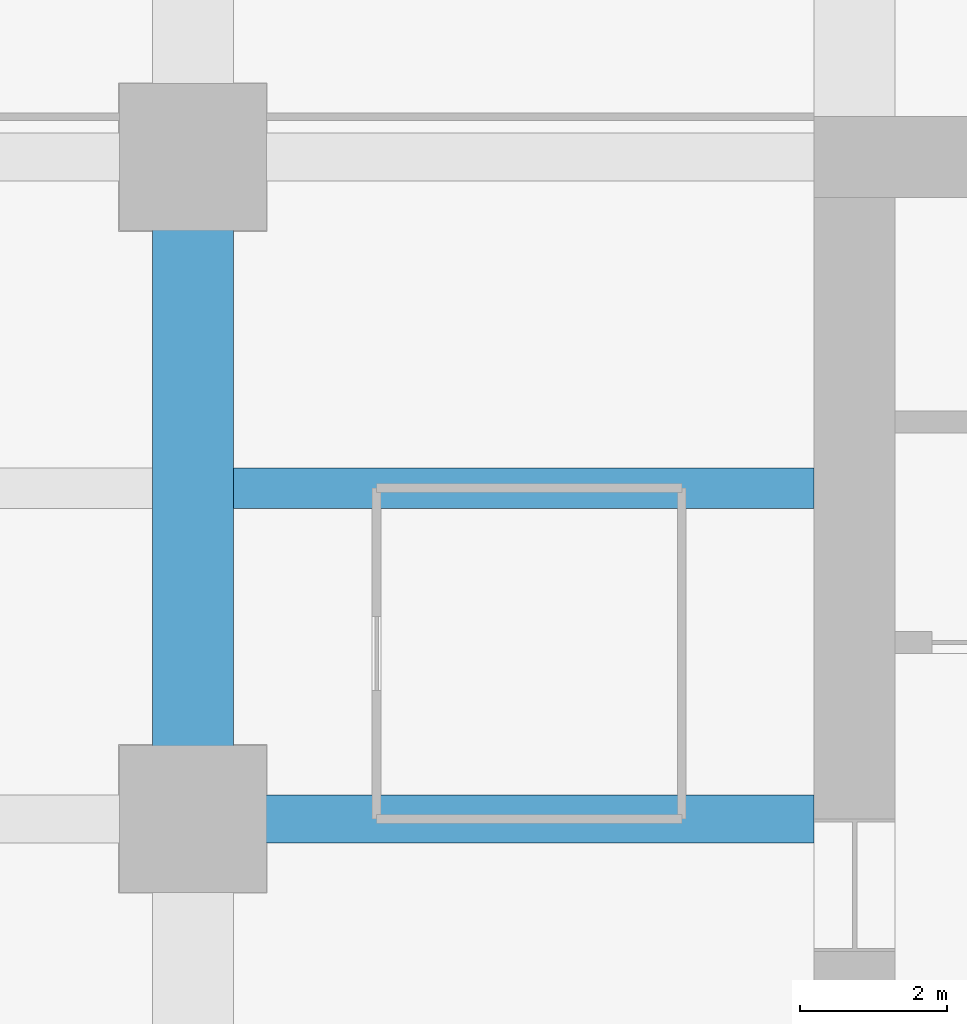
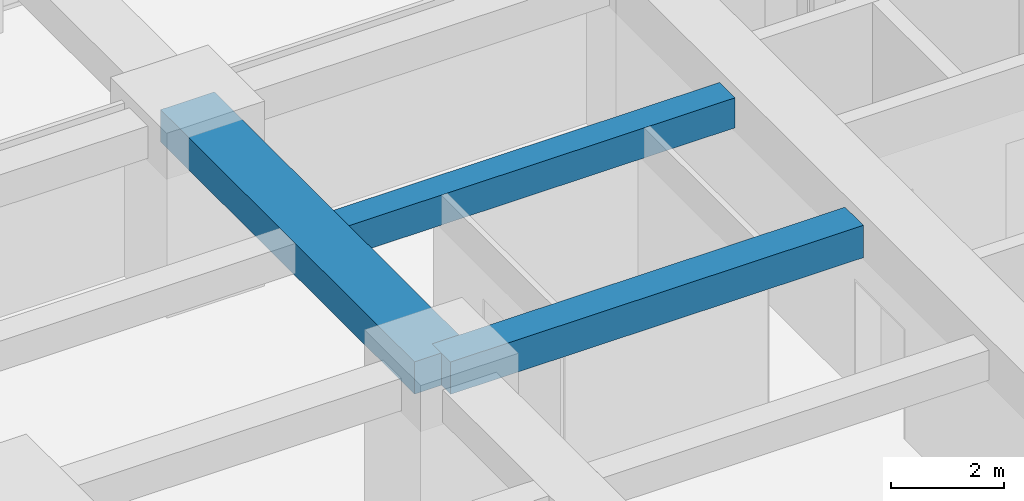
# One storey, part 12 of 39: 3 beams.
"""IFC4 building model written with IfcOpenShell, lengths in metres."""

import ifcopenshell
import ifcopenshell.guid

model = None  # the IFC model being written
_history = None  # IfcOwnerHistory: only IFC2X3 demands one
_inside = {}  # id of a spatial element -> (the spatial element, [elements in it])
_under = {}  # id of a project, library or spatial element -> (it, [spatial elements below it])
_declared = {}  # id of a project -> (the project, [libraries it declares])
_typed = {}  # id of a type object -> (the type object, [elements of that type])
_made_of = {}  # id of a material, layer set ... -> (it, [elements and type objects made of it])


def new_model(schema):
    """Start an empty IFC model of exactly this schema.

    Asked for "IFC4X3", IfcOpenShell would pick the latest addendum, in which some entities
    have other attributes; the version numbers below select the first issue.
    IFC2X3 requires an IfcOwnerHistory on every rooted entity: one is made here for all.
    """
    global model, _history
    if schema == "IFC4X3":
        model = ifcopenshell.file(schema_version=(4, 3, 0, 0))
    else:
        model = ifcopenshell.file(schema=schema)
    _inside.clear()
    _under.clear()
    _declared.clear()
    _typed.clear()
    _made_of.clear()
    _history = None
    if model.schema == "IFC2X3":
        org = make("IfcOrganization", Name="unknown")
        user = make(
            "IfcPersonAndOrganization",
            ThePerson=make("IfcPerson", FamilyName="unknown"),
            TheOrganization=org,
        )
        app = make(
            "IfcApplication",
            ApplicationDeveloper=org,
            Version="unknown",
            ApplicationFullName="unknown",
            ApplicationIdentifier="unknown",
        )
        _history = make(
            "IfcOwnerHistory",
            OwningUser=user,
            OwningApplication=app,
            ChangeAction="ADDED",
            CreationDate=0,
        )
    return model


def make(cls, **values):
    """One entity of the class cls with the attributes given. An attribute that is None is left unset."""
    return model.create_entity(
        cls, **{name: value for name, value in values.items() if value is not None}
    )


def rooted(cls, **values):
    """An entity with a GlobalId (a new one), such as an element, a storey or a relation."""
    return make(cls, GlobalId=ifcopenshell.guid.new(), OwnerHistory=_history, **values)


def si_unit(unit_type, name, prefix=None):
    """IfcSIUnit, for example si_unit("LENGTHUNIT", "METRE", prefix="MILLI")."""
    return make("IfcSIUnit", UnitType=unit_type, Prefix=prefix, Name=name)


def assignment(units):
    """IfcUnitAssignment: the units of a project."""
    return None if units is None else make("IfcUnitAssignment", Units=units)


def point(xyz):
    """IfcCartesianPoint."""
    return None if xyz is None else make("IfcCartesianPoint", Coordinates=xyz)


def direction(xyz):
    """IfcDirection."""
    return None if xyz is None else make("IfcDirection", DirectionRatios=xyz)


def frame(location, z_axis=None, x_axis=None):
    """IfcAxis2Placement3D, a coordinate frame: its origin and axes. An axis left out is left unset."""
    return make(
        "IfcAxis2Placement3D",
        Location=point(location),
        Axis=direction(z_axis),
        RefDirection=direction(x_axis),
    )


def frame_2d(location, x_axis=None):
    """IfcAxis2Placement2D, a coordinate frame in the plane: its origin and x axis."""
    return make(
        "IfcAxis2Placement2D", Location=point(location), RefDirection=direction(x_axis)
    )


def origin():
    """The frame at (0, 0, 0) with its axes left unset."""
    return frame((0.0, 0.0, 0.0))


def origin_2d():
    """The frame at (0, 0) in the plane with its x axis left unset."""
    return frame_2d((0.0, 0.0))


def place(relative_to, where):
    """IfcLocalPlacement: puts the frame where relative to a parent placement (None: the world)."""
    return make(
        "IfcLocalPlacement", PlacementRelTo=relative_to, RelativePlacement=where
    )


def context(
    kind, dimensions, precision=None, world=None, true_north=None, identifier=None
):
    """IfcGeometricRepresentationContext, for example the 3D "Model" context."""
    return make(
        "IfcGeometricRepresentationContext",
        ContextIdentifier=identifier,
        ContextType=kind,
        CoordinateSpaceDimension=dimensions,
        Precision=precision,
        WorldCoordinateSystem=world,
        TrueNorth=true_north,
    )


def subcontext(parent, identifier, kind, view, scale=None):
    """IfcGeometricRepresentationSubContext, for example "Body" below "Model"."""
    return make(
        "IfcGeometricRepresentationSubContext",
        ContextIdentifier=identifier,
        ContextType=kind,
        ParentContext=parent,
        TargetScale=scale,
        TargetView=view,
    )


def project(units=None, contexts=None):
    """IfcProject with its units and contexts."""
    return rooted(
        "IfcProject",
        Name="project",
        RepresentationContexts=contexts,
        UnitsInContext=assignment(units),
    )


def spatial(cls, under=None, at=None, **own):
    """A site, building, storey or space (cls), placed at a placement, below another one or the project."""
    s = rooted(cls, ObjectPlacement=at, **own)
    if under is not None:
        _under.setdefault(under.id(), (under, []))[1].append(s)
    return s


def profile(cls, at=None, kind="AREA", **sizes):
    """A parametric profile (cls). Its sizes go by their IFC names, for example OverallWidth=200.0."""
    return make(cls, ProfileType=kind, Position=at, **sizes)


def rectangle(**sizes):
    """IfcRectangleProfileDef."""
    return profile("IfcRectangleProfileDef", **sizes)


def extrude(swept, where, along, depth):
    """IfcExtrudedAreaSolid: the profile swept, set in the frame where, extruded along a direction by depth."""
    return make(
        "IfcExtrudedAreaSolid",
        SweptArea=swept,
        Position=where,
        ExtrudedDirection=direction(along),
        Depth=depth,
    )


def shape(context_of_items, identifier, shape_type, items):
    """IfcShapeRepresentation: the items that make up one representation, for example the "Body"."""
    return make(
        "IfcShapeRepresentation",
        ContextOfItems=context_of_items,
        RepresentationIdentifier=identifier,
        RepresentationType=shape_type,
        Items=items,
    )


def material(Name=None, Category=None):
    """IfcMaterial."""
    return make("IfcMaterial", Name=Name, Category=Category)


def material_profile(
    of_material, cross_section, Name=None, Category=None, Priority=None
):
    """IfcMaterialProfile: a cross section and its material."""
    return make(
        "IfcMaterialProfile",
        Name=Name,
        Material=of_material,
        Profile=cross_section,
        Priority=Priority,
        Category=Category,
    )


def profile_set(profiles, Name=None, composite=None):
    """IfcMaterialProfileSet."""
    return make(
        "IfcMaterialProfileSet",
        Name=Name,
        MaterialProfiles=profiles,
        CompositeProfile=composite,
    )


def made_of(thing, what):
    """Note that an element or type object is made of a material, layer set ...; save() writes the relation."""
    if what is not None:
        _made_of.setdefault(what.id(), (what, []))[1].append(thing)
    return thing


def type_object(cls, material=None, **own):
    """A type object (cls), such as IfcWallType, which elements share."""
    return made_of(rooted(cls, **own), material)


def element(
    cls,
    number,
    at=None,
    inside=None,
    cuts=None,
    type_object=None,
    material=None,
    context=None,
    identifier="Body",
    shape_type=None,
    held_by="IfcProductDefinitionShape",
    body=None,
    shapes=None,
    **own,
):
    """One element of the class cls, such as IfcWall. Its Tag is "e" and its number.

    at: its placement. inside: the storey or other place that contains it. cuts: it is an
    opening in that element (IfcRelVoidsElement). A single representation is given by context,
    identifier, shape_type and body (its items); several are given by shapes. held_by: the class
    of the entity that holds the representations. save() writes the other relations.
    """
    e = rooted(cls, Tag="e%d" % number, ObjectPlacement=at, **own)
    if body is not None:
        shapes = [shape(context, identifier, shape_type, body)]
    if shapes is not None:
        e.Representation = make(held_by, Representations=shapes)
    if inside is not None:
        _inside.setdefault(inside.id(), (inside, []))[1].append(e)
    if cuts is not None:
        rooted(
            "IfcRelVoidsElement", RelatingBuildingElement=cuts, RelatedOpeningElement=e
        )
    if type_object is not None:
        _typed.setdefault(type_object.id(), (type_object, []))[1].append(e)
    return made_of(e, material)


def aggregate(whole, parts):
    """IfcRelAggregates: a whole, such as a stair, and the parts it consists of."""
    return rooted("IfcRelAggregates", RelatingObject=whole, RelatedObjects=parts)


def save(model, path):
    """Write the relations noted so far, then the file.

    IfcRelAggregates (storeys below a building ...), IfcRelContainedInSpatialStructure (elements
    in a storey), IfcRelDefinesByType, IfcRelAssociatesMaterial and IfcRelDeclares: one each for
    every whole, place, type object, material and project.
    """
    for whole, parts in _under.values():
        aggregate(whole, parts)
    for where, things in _inside.values():
        rooted(
            "IfcRelContainedInSpatialStructure",
            RelatedElements=things,
            RelatingStructure=where,
        )
    for kind, things in _typed.values():
        rooted("IfcRelDefinesByType", RelatedObjects=things, RelatingType=kind)
    for what, things in _made_of.values():
        rooted("IfcRelAssociatesMaterial", RelatedObjects=things, RelatingMaterial=what)
    for by, libraries in _declared.values():
        rooted("IfcRelDeclares", RelatingContext=by, RelatedDefinitions=libraries)
    model.write(path)


model = new_model("IFC4")

# Units and contexts
model_context = context("Model", 3, precision=1e-05, world=origin(), true_north=direction((0.0, 1.0)))
body_context = subcontext(model_context, "Body", "Model", "MODEL_VIEW")
ifc_project = project(units=[si_unit("LENGTHUNIT", "METRE"), si_unit("AREAUNIT", "SQUARE_METRE"), si_unit("VOLUMEUNIT", "CUBIC_METRE"), si_unit("PLANEANGLEUNIT", "RADIAN"), si_unit("MASSUNIT", "GRAM", prefix="KILO")], contexts=[model_context])

# Site, building, storey
site_placement = place(None, origin())
site = spatial("IfcSite", under=ifc_project, at=site_placement, CompositionType="ELEMENT")
building_placement = place(site_placement, origin())
building = spatial("IfcBuilding", under=site, at=building_placement, Name="Zorevar Civic Tower", CompositionType="ELEMENT")
storey_placement = place(building_placement, frame((0.0, 0.0, 117.0)))
storey = spatial("IfcBuildingStorey", under=building, at=storey_placement, Name="L28", CompositionType="ELEMENT", Elevation=117.0)

# Beams
ifc_material_1 = material(Name="Concrete C50/60", Category="concrete")
ifc_material_profile_1 = material_profile(ifc_material_1, rectangle(XDim=1.10009765625, YDim=0.699951171875, at=origin_2d()), Name="RC 1100x700")
ifc_profile_set_1 = profile_set([ifc_material_profile_1], Name="Concrete C50/60")
beam_type_1 = type_object("IfcBeamType", Name="Beam RC 1100x700", PredefinedType="BEAM", material=ifc_profile_set_1)
beam_1_placement = place(storey_placement, frame((9.0, 27.0, 3.39990234375), z_axis=(0.0, 1.0, 0.0), x_axis=(-1.0, 0.0, 0.0)))
element("IfcBeam", 1, at=beam_1_placement, inside=storey, type_object=beam_type_1, Name="Girder L29", PredefinedType="BEAM", context=body_context, shape_type="SweptSolid", body=[
    extrude(rectangle(XDim=1.10009765625, YDim=0.699951171875, at=origin_2d()), origin(), (0.0, 0.0, 1.0), 9.0),
])
ifc_material_2 = material(Name="Concrete C50/60", Category="concrete")
ifc_material_profile_2 = material_profile(ifc_material_2, rectangle(XDim=0.550048828125, YDim=0.64990234375, at=origin_2d()), Name="RC 550x650")
ifc_profile_set_2 = profile_set([ifc_material_profile_2], Name="Concrete C50/60")
beam_type_2 = type_object("IfcBeamType", Name="Beam RC 550x650", PredefinedType="BEAM", material=ifc_profile_set_2)
beam_2_placement = place(storey_placement, frame((9.550048828125, 31.5, 3.425048828125), z_axis=(1.0, 0.0, 0.0), x_axis=(0.0, 1.0, 0.0)))
element("IfcBeam", 2, at=beam_2_placement, inside=storey, type_object=beam_type_2, Name="Secondary beam L29", PredefinedType="BEAM", context=body_context, shape_type="SweptSolid", body=[
    extrude(rectangle(XDim=0.550048828125, YDim=0.64990234375, at=origin_2d()), origin(), (0.0, 0.0, 1.0), 7.89990234375),
])
ifc_material_3 = material(Name="Concrete C50/60", Category="concrete")
ifc_material_profile_3 = material_profile(ifc_material_3, rectangle(XDim=0.64990234375, YDim=0.699951171875, at=origin_2d()), Name="RC 650x700")
ifc_profile_set_3 = profile_set([ifc_material_profile_3], Name="Concrete C50/60")
beam_type_3 = type_object("IfcBeamType", Name="Beam RC 650x700", PredefinedType="BEAM", material=ifc_profile_set_3)
beam_3_placement = place(storey_placement, frame((9.0, 27.0, 3.39990234375), z_axis=(1.0, 0.0, 0.0), x_axis=(0.0, 1.0, 0.0)))
element("IfcBeam", 3, at=beam_3_placement, inside=storey, type_object=beam_type_3, Name="Girder L29", PredefinedType="BEAM", context=body_context, shape_type="SweptSolid", body=[
    extrude(rectangle(XDim=0.64990234375, YDim=0.699951171875, at=origin_2d()), origin(), (0.0, 0.0, 1.0), 8.449951171875),
])

save(model, "model.ifc")
